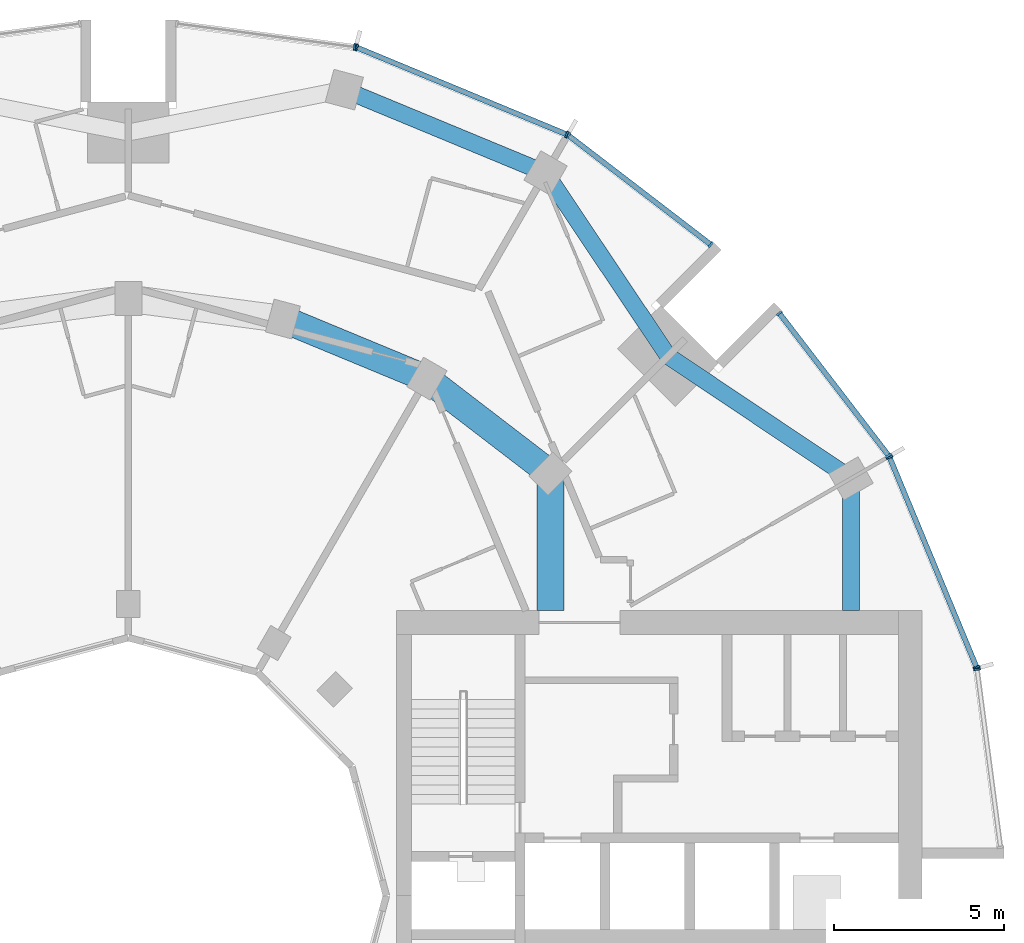
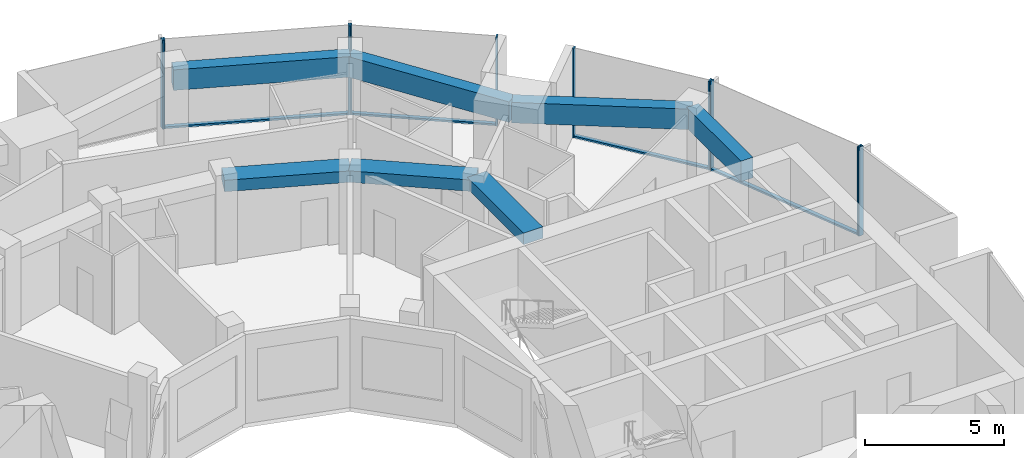
# One storey, part 6 of 15: 14 members, 7 beams, 6 elements without a shape of their own.
"""IFC4 building model written with IfcOpenShell, lengths in metres."""

import ifcopenshell
import ifcopenshell.guid

model = None  # the IFC model being written
_history = None  # IfcOwnerHistory: only IFC2X3 demands one
_inside = {}  # id of a spatial element -> (the spatial element, [elements in it])
_under = {}  # id of a project, library or spatial element -> (it, [spatial elements below it])
_declared = {}  # id of a project -> (the project, [libraries it declares])
_typed = {}  # id of a type object -> (the type object, [elements of that type])
_made_of = {}  # id of a material, layer set ... -> (it, [elements and type objects made of it])


def new_model(schema):
    """Start an empty IFC model of exactly this schema.

    Asked for "IFC4X3", IfcOpenShell would pick the latest addendum, in which some entities
    have other attributes; the version numbers below select the first issue.
    IFC2X3 requires an IfcOwnerHistory on every rooted entity: one is made here for all.
    """
    global model, _history
    if schema == "IFC4X3":
        model = ifcopenshell.file(schema_version=(4, 3, 0, 0))
    else:
        model = ifcopenshell.file(schema=schema)
    _inside.clear()
    _under.clear()
    _declared.clear()
    _typed.clear()
    _made_of.clear()
    _history = None
    if model.schema == "IFC2X3":
        org = make("IfcOrganization", Name="unknown")
        user = make(
            "IfcPersonAndOrganization",
            ThePerson=make("IfcPerson", FamilyName="unknown"),
            TheOrganization=org,
        )
        app = make(
            "IfcApplication",
            ApplicationDeveloper=org,
            Version="unknown",
            ApplicationFullName="unknown",
            ApplicationIdentifier="unknown",
        )
        _history = make(
            "IfcOwnerHistory",
            OwningUser=user,
            OwningApplication=app,
            ChangeAction="ADDED",
            CreationDate=0,
        )
    return model


def make(cls, **values):
    """One entity of the class cls with the attributes given. An attribute that is None is left unset."""
    return model.create_entity(
        cls, **{name: value for name, value in values.items() if value is not None}
    )


def rooted(cls, **values):
    """An entity with a GlobalId (a new one), such as an element, a storey or a relation."""
    return make(cls, GlobalId=ifcopenshell.guid.new(), OwnerHistory=_history, **values)


def si_unit(unit_type, name, prefix=None):
    """IfcSIUnit, for example si_unit("LENGTHUNIT", "METRE", prefix="MILLI")."""
    return make("IfcSIUnit", UnitType=unit_type, Prefix=prefix, Name=name)


def assignment(units):
    """IfcUnitAssignment: the units of a project."""
    return None if units is None else make("IfcUnitAssignment", Units=units)


def point(xyz):
    """IfcCartesianPoint."""
    return None if xyz is None else make("IfcCartesianPoint", Coordinates=xyz)


def direction(xyz):
    """IfcDirection."""
    return None if xyz is None else make("IfcDirection", DirectionRatios=xyz)


def frame(location, z_axis=None, x_axis=None):
    """IfcAxis2Placement3D, a coordinate frame: its origin and axes. An axis left out is left unset."""
    return make(
        "IfcAxis2Placement3D",
        Location=point(location),
        Axis=direction(z_axis),
        RefDirection=direction(x_axis),
    )


def frame_2d(location, x_axis=None):
    """IfcAxis2Placement2D, a coordinate frame in the plane: its origin and x axis."""
    return make(
        "IfcAxis2Placement2D", Location=point(location), RefDirection=direction(x_axis)
    )


def origin():
    """The frame at (0, 0, 0) with its axes left unset."""
    return frame((0.0, 0.0, 0.0))


def origin_2d():
    """The frame at (0, 0) in the plane with its x axis left unset."""
    return frame_2d((0.0, 0.0))


def place(relative_to, where):
    """IfcLocalPlacement: puts the frame where relative to a parent placement (None: the world)."""
    return make(
        "IfcLocalPlacement", PlacementRelTo=relative_to, RelativePlacement=where
    )


def context(
    kind, dimensions, precision=None, world=None, true_north=None, identifier=None
):
    """IfcGeometricRepresentationContext, for example the 3D "Model" context."""
    return make(
        "IfcGeometricRepresentationContext",
        ContextIdentifier=identifier,
        ContextType=kind,
        CoordinateSpaceDimension=dimensions,
        Precision=precision,
        WorldCoordinateSystem=world,
        TrueNorth=true_north,
    )


def subcontext(parent, identifier, kind, view, scale=None):
    """IfcGeometricRepresentationSubContext, for example "Body" below "Model"."""
    return make(
        "IfcGeometricRepresentationSubContext",
        ContextIdentifier=identifier,
        ContextType=kind,
        ParentContext=parent,
        TargetScale=scale,
        TargetView=view,
    )


def project(units=None, contexts=None):
    """IfcProject with its units and contexts."""
    return rooted(
        "IfcProject",
        Name="project",
        RepresentationContexts=contexts,
        UnitsInContext=assignment(units),
    )


def spatial(cls, under=None, at=None, **own):
    """A site, building, storey or space (cls), placed at a placement, below another one or the project."""
    s = rooted(cls, ObjectPlacement=at, **own)
    if under is not None:
        _under.setdefault(under.id(), (under, []))[1].append(s)
    return s


def profile(cls, at=None, kind="AREA", **sizes):
    """A parametric profile (cls). Its sizes go by their IFC names, for example OverallWidth=200.0."""
    return make(cls, ProfileType=kind, Position=at, **sizes)


def rectangle(**sizes):
    """IfcRectangleProfileDef."""
    return profile("IfcRectangleProfileDef", **sizes)


def extrude(swept, where, along, depth):
    """IfcExtrudedAreaSolid: the profile swept, set in the frame where, extruded along a direction by depth."""
    return make(
        "IfcExtrudedAreaSolid",
        SweptArea=swept,
        Position=where,
        ExtrudedDirection=direction(along),
        Depth=depth,
    )


def shape(context_of_items, identifier, shape_type, items):
    """IfcShapeRepresentation: the items that make up one representation, for example the "Body"."""
    return make(
        "IfcShapeRepresentation",
        ContextOfItems=context_of_items,
        RepresentationIdentifier=identifier,
        RepresentationType=shape_type,
        Items=items,
    )


def material(Name=None, Category=None):
    """IfcMaterial."""
    return make("IfcMaterial", Name=Name, Category=Category)


def layer(
    of_material, thickness, ventilated=None, Name=None, Category=None, Priority=None
):
    """IfcMaterialLayer: one layer of a wall or slab, of a material (None: an air gap)."""
    return make(
        "IfcMaterialLayer",
        Material=of_material,
        LayerThickness=thickness,
        IsVentilated=ventilated,
        Name=Name,
        Category=Category,
        Priority=Priority,
    )


def layer_set(layers, Name=None):
    """IfcMaterialLayerSet."""
    return make("IfcMaterialLayerSet", MaterialLayers=layers, LayerSetName=Name)


def material_profile(
    of_material, cross_section, Name=None, Category=None, Priority=None
):
    """IfcMaterialProfile: a cross section and its material."""
    return make(
        "IfcMaterialProfile",
        Name=Name,
        Material=of_material,
        Profile=cross_section,
        Priority=Priority,
        Category=Category,
    )


def profile_set(profiles, Name=None, composite=None):
    """IfcMaterialProfileSet."""
    return make(
        "IfcMaterialProfileSet",
        Name=Name,
        MaterialProfiles=profiles,
        CompositeProfile=composite,
    )


def made_of(thing, what):
    """Note that an element or type object is made of a material, layer set ...; save() writes the relation."""
    if what is not None:
        _made_of.setdefault(what.id(), (what, []))[1].append(thing)
    return thing


def type_object(cls, material=None, **own):
    """A type object (cls), such as IfcWallType, which elements share."""
    return made_of(rooted(cls, **own), material)


def element(
    cls,
    number,
    at=None,
    inside=None,
    cuts=None,
    type_object=None,
    material=None,
    context=None,
    identifier="Body",
    shape_type=None,
    held_by="IfcProductDefinitionShape",
    body=None,
    shapes=None,
    **own,
):
    """One element of the class cls, such as IfcWall. Its Tag is "e" and its number.

    at: its placement. inside: the storey or other place that contains it. cuts: it is an
    opening in that element (IfcRelVoidsElement). A single representation is given by context,
    identifier, shape_type and body (its items); several are given by shapes. held_by: the class
    of the entity that holds the representations. save() writes the other relations.
    """
    e = rooted(cls, Tag="e%d" % number, ObjectPlacement=at, **own)
    if body is not None:
        shapes = [shape(context, identifier, shape_type, body)]
    if shapes is not None:
        e.Representation = make(held_by, Representations=shapes)
    if inside is not None:
        _inside.setdefault(inside.id(), (inside, []))[1].append(e)
    if cuts is not None:
        rooted(
            "IfcRelVoidsElement", RelatingBuildingElement=cuts, RelatedOpeningElement=e
        )
    if type_object is not None:
        _typed.setdefault(type_object.id(), (type_object, []))[1].append(e)
    return made_of(e, material)


def aggregate(whole, parts):
    """IfcRelAggregates: a whole, such as a stair, and the parts it consists of."""
    return rooted("IfcRelAggregates", RelatingObject=whole, RelatedObjects=parts)


def save(model, path):
    """Write the relations noted so far, then the file.

    IfcRelAggregates (storeys below a building ...), IfcRelContainedInSpatialStructure (elements
    in a storey), IfcRelDefinesByType, IfcRelAssociatesMaterial and IfcRelDeclares: one each for
    every whole, place, type object, material and project.
    """
    for whole, parts in _under.values():
        aggregate(whole, parts)
    for where, things in _inside.values():
        rooted(
            "IfcRelContainedInSpatialStructure",
            RelatedElements=things,
            RelatingStructure=where,
        )
    for kind, things in _typed.values():
        rooted("IfcRelDefinesByType", RelatedObjects=things, RelatingType=kind)
    for what, things in _made_of.values():
        rooted("IfcRelAssociatesMaterial", RelatedObjects=things, RelatingMaterial=what)
    for by, libraries in _declared.values():
        rooted("IfcRelDeclares", RelatingContext=by, RelatedDefinitions=libraries)
    model.write(path)


model = new_model("IFC4")

# Units and contexts
model_context = context("Model", 3, precision=1e-05, world=origin(), true_north=direction((0.0, 1.0)))
body_context = subcontext(model_context, "Body", "Model", "MODEL_VIEW")
ifc_project = project(units=[si_unit("LENGTHUNIT", "METRE"), si_unit("AREAUNIT", "SQUARE_METRE"), si_unit("VOLUMEUNIT", "CUBIC_METRE"), si_unit("PLANEANGLEUNIT", "RADIAN"), si_unit("MASSUNIT", "GRAM", prefix="KILO")], contexts=[model_context])

# Site, building, storey
site_placement = place(None, origin())
site = spatial("IfcSite", under=ifc_project, at=site_placement, CompositionType="ELEMENT")
building_placement = place(site_placement, origin())
building = spatial("IfcBuilding", under=site, at=building_placement, Name="Torre Brocal", CompositionType="ELEMENT")
storey_placement = place(building_placement, frame((0.0, 0.0, 130.199951171875)))
storey = spatial("IfcBuildingStorey", under=building, at=storey_placement, Name="L30", CompositionType="ELEMENT", Elevation=130.199951171875)

# Curtain wall, members
ifc_material_1 = material(Name="Aluminium and glass", Category="aluminium")
ifc_layer_1 = layer(ifc_material_1, 0.199951171875)
ifc_layer_set_1 = layer_set([ifc_layer_1], Name="Aluminium and glass")
curtain_wall_type_1 = type_object("IfcCurtainWallType", Name="CW-1 CURTAIN WALL 3900 HIGH", PredefinedType="NOTDEFINED", material=ifc_layer_set_1)
curtain_wall_1_placement = place(storey_placement, origin())
curtain_wall_1 = element("IfcCurtainWall", 1, at=curtain_wall_1_placement, inside=storey, type_object=curtain_wall_type_1, Name="CW-1 RUN 2", PredefinedType="NOTDEFINED")
ifc_material_2 = material(Name="Aluminium, dark anodised", Category="aluminium")
ifc_material_profile_1 = material_profile(ifc_material_2, rectangle(XDim=0.199951171875, YDim=0.06005859375, at=origin_2d()), Name="CW-1 MULLION 60X200")
ifc_profile_set_1 = profile_set([ifc_material_profile_1], Name="Aluminium, dark anodised")
member_type_1 = type_object("IfcMemberType", Name="CW-1 MULLION 60X200", PredefinedType="MULLION", material=ifc_profile_set_1)
member_1_placement = place(storey_placement, frame((105.005126953125, 81.73095703125, 0.0), z_axis=(0.0, 0.0, 1.0), x_axis=(-0.923879532525, -0.382683432333, 0.0)))
member_1 = element("IfcMember", 2, at=member_1_placement, type_object=member_type_1, Name="CW1-3 mullion 1", PredefinedType="MULLION", context=body_context, shape_type="SweptSolid", body=[
    extrude(rectangle(XDim=0.199951171875, YDim=0.06005859375, at=origin_2d()), origin(), (0.0, 0.0, 1.0), 3.900146484375),
])
member_2_placement = place(storey_placement, frame((102.440673828125, 87.921875, 0.0), z_axis=(0.0, 0.0, 1.0), x_axis=(-0.923879532525, -0.382683432333, 0.0)))
member_2 = element("IfcMember", 3, at=member_2_placement, type_object=member_type_1, Name="CW1-3 mullion 2", PredefinedType="MULLION", context=body_context, shape_type="SweptSolid", body=[
    extrude(rectangle(XDim=0.199951171875, YDim=0.06005859375, at=origin_2d()), origin(), (0.0, 0.0, 1.0), 3.900146484375),
])

curtain_wall_2_placement = place(storey_placement, origin())
curtain_wall_2 = element("IfcCurtainWall", 4, at=curtain_wall_2_placement, inside=storey, type_object=curtain_wall_type_1, Name="CW-1 RUN 3", PredefinedType="NOTDEFINED")
member_3_placement = place(storey_placement, frame((102.4111328125, 87.973388671875, 0.0), z_axis=(0.0, 0.0, 1.0), x_axis=(-0.793353340259, -0.60876142905, 0.0)))
member_3 = element("IfcMember", 5, at=member_3_placement, type_object=member_type_1, Name="CW1-3 mullion 1", PredefinedType="MULLION", context=body_context, shape_type="SweptSolid", body=[
    extrude(rectangle(XDim=0.199951171875, YDim=0.06005859375, at=origin_2d()), origin(), (0.0, 0.0, 1.0), 3.900146484375),
])
member_4_placement = place(storey_placement, frame((99.19140625, 92.16943359375, 0.0), z_axis=(0.0, 0.0, 1.0), x_axis=(-0.793353340259, -0.60876142905, 0.0)))
member_4 = element("IfcMember", 6, at=member_4_placement, type_object=member_type_1, Name="CW1-3 mullion 2", PredefinedType="MULLION", context=body_context, shape_type="SweptSolid", body=[
    extrude(rectangle(XDim=0.199951171875, YDim=0.06005859375, at=origin_2d()), origin(), (0.0, 0.0, 1.0), 3.900146484375),
])

curtain_wall_3_placement = place(storey_placement, origin())
curtain_wall_3 = element("IfcCurtainWall", 7, at=curtain_wall_3_placement, inside=storey, type_object=curtain_wall_type_1, Name="CW-1 RUN 4", PredefinedType="NOTDEFINED")
member_5_placement = place(storey_placement, frame((97.16943359375, 94.19140625, 0.0), z_axis=(0.0, 0.0, 1.0), x_axis=(-0.60876142905, -0.793353340259, 0.0)))
member_5 = element("IfcMember", 8, at=member_5_placement, type_object=member_type_1, Name="CW1-3 mullion 1", PredefinedType="MULLION", context=body_context, shape_type="SweptSolid", body=[
    extrude(rectangle(XDim=0.199951171875, YDim=0.06005859375, at=origin_2d()), origin(), (0.0, 0.0, 1.0), 3.900146484375),
])
member_6_placement = place(storey_placement, frame((92.973388671875, 97.4111328125, 0.0), z_axis=(0.0, 0.0, 1.0), x_axis=(-0.60876142905, -0.793353340259, 0.0)))
member_6 = element("IfcMember", 9, at=member_6_placement, type_object=member_type_1, Name="CW1-3 mullion 2", PredefinedType="MULLION", context=body_context, shape_type="SweptSolid", body=[
    extrude(rectangle(XDim=0.199951171875, YDim=0.06005859375, at=origin_2d()), origin(), (0.0, 0.0, 1.0), 3.900146484375),
])

curtain_wall_4_placement = place(storey_placement, origin())
curtain_wall_4 = element("IfcCurtainWall", 10, at=curtain_wall_4_placement, inside=storey, type_object=curtain_wall_type_1, Name="CW-1 RUN 5", PredefinedType="NOTDEFINED")
member_7_placement = place(storey_placement, frame((92.921875, 97.440673828125, 0.0), z_axis=(0.0, 0.0, 1.0), x_axis=(-0.382683432333, -0.923879532525, 0.0)))
member_7 = element("IfcMember", 11, at=member_7_placement, type_object=member_type_1, Name="CW1-3 mullion 1", PredefinedType="MULLION", context=body_context, shape_type="SweptSolid", body=[
    extrude(rectangle(XDim=0.199951171875, YDim=0.06005859375, at=origin_2d()), origin(), (0.0, 0.0, 1.0), 3.900146484375),
])
member_8_placement = place(storey_placement, frame((86.73095703125, 100.005126953125, 0.0), z_axis=(0.0, 0.0, 1.0), x_axis=(-0.382683432333, -0.923879532525, 0.0)))
member_8 = element("IfcMember", 12, at=member_8_placement, type_object=member_type_1, Name="CW1-3 mullion 2", PredefinedType="MULLION", context=body_context, shape_type="SweptSolid", body=[
    extrude(rectangle(XDim=0.199951171875, YDim=0.06005859375, at=origin_2d()), origin(), (0.0, 0.0, 1.0), 3.900146484375),
])

# Curtain wall, member
curtain_wall_5_placement = place(storey_placement, origin())
curtain_wall_5 = element("IfcCurtainWall", 13, at=curtain_wall_5_placement, inside=storey, type_object=curtain_wall_type_1, Name="CW-1 RUN 6", PredefinedType="NOTDEFINED")
member_9_placement = place(storey_placement, frame((86.67333984375, 100.0205078125, 0.0), z_axis=(0.0, 0.0, 1.0), x_axis=(-0.13052619222, -0.991444861374, 0.0)))
member_9 = element("IfcMember", 14, at=member_9_placement, type_object=member_type_1, Name="CW1-3 mullion 1", PredefinedType="MULLION", context=body_context, shape_type="SweptSolid", body=[
    extrude(rectangle(XDim=0.199951171875, YDim=0.06005859375, at=origin_2d()), origin(), (0.0, 0.0, 1.0), 3.900146484375),
])
aggregate(curtain_wall_5, [member_9])

# Member
ifc_material_3 = material(Name="Aluminium, dark anodised", Category="aluminium")
ifc_material_profile_2 = material_profile(ifc_material_3, rectangle(XDim=0.159912109375, YDim=0.080078125, at=origin_2d()), Name="CW-1 TRANSOM 160X80")
ifc_profile_set_2 = profile_set([ifc_material_profile_2], Name="Aluminium, dark anodised")
member_type_2 = type_object("IfcMemberType", Name="CW-1 TRANSOM 160X80", PredefinedType="USERDEFINED", material=ifc_profile_set_2)
member_10_placement = place(storey_placement, frame((104.99365234375, 81.758544921875, 0.0400390625), z_axis=(-0.38266457234, 0.923887344364, 0.0), x_axis=(-0.923887344364, -0.38266457234, 0.0)))
member_10 = element("IfcMember", 15, at=member_10_placement, type_object=member_type_2, Name="CW1-3 transom 1.1", ObjectType="TRANSOM", PredefinedType="USERDEFINED", context=body_context, shape_type="SweptSolid", body=[
    extrude(rectangle(XDim=0.159912109375, YDim=0.080078125, at=origin_2d()), origin(), (0.0, 0.0, 1.0), 6.640869140625),
])

aggregate(curtain_wall_1, [member_1, member_2, member_10])

member_11_placement = place(storey_placement, frame((102.392822265625, 87.9970703125, 0.0400390625), z_axis=(-0.60874908096, 0.79336281513, 0.0), x_axis=(-0.79336281513, -0.60874908096, 0.0)))
member_11 = element("IfcMember", 16, at=member_11_placement, type_object=member_type_2, Name="CW1-3 transom 1.1", ObjectType="TRANSOM", PredefinedType="USERDEFINED", context=body_context, shape_type="SweptSolid", body=[
    extrude(rectangle(XDim=0.159912109375, YDim=0.080078125, at=origin_2d()), origin(), (0.0, 0.0, 1.0), 5.22900390625),
])

aggregate(curtain_wall_2, [member_3, member_4, member_11])

member_12_placement = place(storey_placement, frame((97.1455078125, 94.209716796875, 0.0400390625), z_axis=(-0.79336281513, 0.60874908096, 0.0), x_axis=(-0.60874908096, -0.79336281513, 0.0)))
member_12 = element("IfcMember", 17, at=member_12_placement, type_object=member_type_2, Name="CW1-3 transom 1.1", ObjectType="TRANSOM", PredefinedType="USERDEFINED", context=body_context, shape_type="SweptSolid", body=[
    extrude(rectangle(XDim=0.159912109375, YDim=0.080078125, at=origin_2d()), origin(), (0.0, 0.0, 1.0), 5.22900390625),
])

aggregate(curtain_wall_3, [member_5, member_6, member_12])

member_13_placement = place(storey_placement, frame((92.89404296875, 97.452392578125, 0.0400390625), z_axis=(-0.923887344364, 0.38266457234, 0.0), x_axis=(-0.38266457234, -0.923887344364, 0.0)))
member_13 = element("IfcMember", 18, at=member_13_placement, type_object=member_type_2, Name="CW1-3 transom 1.1", ObjectType="TRANSOM", PredefinedType="USERDEFINED", context=body_context, shape_type="SweptSolid", body=[
    extrude(rectangle(XDim=0.159912109375, YDim=0.080078125, at=origin_2d()), origin(), (0.0, 0.0, 1.0), 6.640869140625),
])

aggregate(curtain_wall_4, [member_7, member_8, member_13])

# Curtain wall, member
ifc_material_4 = material(Name="Aluminium and glass", Category="aluminium")
ifc_layer_2 = layer(ifc_material_4, 0.199951171875)
ifc_layer_set_2 = layer_set([ifc_layer_2], Name="Aluminium and glass")
curtain_wall_type_2 = type_object("IfcCurtainWallType", Name="CW-1B CURTAIN WALL 3900 HIGH", PredefinedType="NOTDEFINED", material=ifc_layer_set_2)
curtain_wall_6_placement = place(storey_placement, origin())
curtain_wall_6 = element("IfcCurtainWall", 19, at=curtain_wall_6_placement, inside=storey, type_object=curtain_wall_type_2, Name="CW-1B RUN 1", PredefinedType="NOTDEFINED")
ifc_material_5 = material(Name="Aluminium, dark anodised", Category="aluminium")
ifc_material_profile_3 = material_profile(ifc_material_5, rectangle(XDim=0.199951171875, YDim=0.06005859375, at=origin_2d()), Name="CW-1B MULLION 60X200")
ifc_profile_set_3 = profile_set([ifc_material_profile_3], Name="Aluminium, dark anodised")
member_type_3 = type_object("IfcMemberType", Name="CW-1B MULLION 60X200", PredefinedType="MULLION", material=ifc_profile_set_3)
member_14_placement = place(storey_placement, frame((105.0205078125, 81.67333984375, 0.0), z_axis=(0.0, 0.0, 1.0), x_axis=(-0.991444861374, -0.13052619222, 0.0)))
member_14 = element("IfcMember", 20, at=member_14_placement, type_object=member_type_3, Name="CW1B-3 mullion 2", PredefinedType="MULLION", context=body_context, shape_type="SweptSolid", body=[
    extrude(rectangle(XDim=0.199951171875, YDim=0.06005859375, at=origin_2d()), origin(), (0.0, 0.0, 1.0), 3.900146484375),
])
aggregate(curtain_wall_6, [member_14])

# Beams
ifc_material_6 = material(Name="Concrete C50", Category="concrete")
ifc_material_profile_4 = material_profile(ifc_material_6, rectangle(XDim=0.800048828125, YDim=0.5, at=origin_2d()), Name="RC 800X500")
ifc_profile_set_4 = profile_set([ifc_material_profile_4], Name="Concrete C50")
beam_type_1 = type_object("IfcBeamType", Name="RC BEAM 800X500 C50 TOP 3580", PredefinedType="BEAM", material=ifc_profile_set_4)
beam_1_placement = place(storey_placement, frame((92.445068359375, 87.445068359375, 3.330078125), z_axis=(-0.793358265959, 0.6087550097, 0.0), x_axis=(-0.6087550097, -0.793358265959, 0.0)))
element("IfcBeam", 21, at=beam_1_placement, inside=storey, type_object=beam_type_1, Name="Beam BT-28", PredefinedType="BEAM", context=body_context, shape_type="SweptSolid", body=[
    extrude(rectangle(XDim=0.800048828125, YDim=0.5, at=origin_2d()), origin(), (0.0, 0.0, 1.0), 4.594482421875),
])
beam_2_placement = place(storey_placement, frame((88.800048828125, 90.241943359375, 3.330078125), z_axis=(-0.923878240166, 0.382686552348, 0.0), x_axis=(-0.382686552348, -0.923878240166, 0.0)))
element("IfcBeam", 22, at=beam_2_placement, inside=storey, type_object=beam_type_1, Name="Beam BT-28", PredefinedType="BEAM", context=body_context, shape_type="SweptSolid", body=[
    extrude(rectangle(XDim=0.800048828125, YDim=0.5, at=origin_2d()), origin(), (0.0, 0.0, 1.0), 4.5947265625),
])
beam_3_placement = place(storey_placement, frame((92.445068359375, 87.445068359375, 3.330078125), z_axis=(0.0, -1.0, 0.0), x_axis=(1.0, 0.0, 0.0)))
element("IfcBeam", 23, at=beam_3_placement, inside=storey, type_object=beam_type_1, Name="Beam BT-28", PredefinedType="BEAM", context=body_context, shape_type="SweptSolid", body=[
    extrude(rectangle(XDim=0.800048828125, YDim=0.5, at=origin_2d()), origin(), (0.0, 0.0, 1.0), 4.045166015625),
])
ifc_material_7 = material(Name="Concrete C50", Category="concrete")
ifc_material_profile_5 = material_profile(ifc_material_7, rectangle(XDim=0.5, YDim=0.89990234375, at=origin_2d()), Name="RC 500X900")
ifc_profile_set_5 = profile_set([ifc_material_profile_5], Name="Concrete C50")
beam_type_2 = type_object("IfcBeamType", Name="RC SPANDREL BEAM 500X900 C50 TOP 3580", PredefinedType="SPANDREL", material=ifc_profile_set_5)
for number, where, z_axis, x_axis, name in (
    (24, (101.30419921875, 87.300048828125, 3.130126953125), (-0.831076844476, 0.556157602282, 0.0), (-0.556157602282, -0.831076844476, 0.0), "Beam BT-29"),
    (25, (95.909912109375, 90.909912109375, 3.130126953125), (-0.556157602282, 0.831076844476, 0.0), (-0.831076844476, -0.556157602282, 0.0), "Beam BT-29"),
):
    element("IfcBeam", number, at=place(storey_placement, frame(where, z_axis=z_axis, x_axis=x_axis)), inside=storey, type_object=beam_type_2, Name=name, PredefinedType="SPANDREL", context=body_context, shape_type="SweptSolid", body=[
        extrude(rectangle(XDim=0.5, YDim=0.89990234375, at=origin_2d()), origin(), (0.0, 0.0, 1.0), 6.49072265625),
    ])
beam_4_placement = place(storey_placement, frame((92.300048828125, 96.30419921875, 3.130126953125), z_axis=(-0.923882462513, 0.382676358639, 0.0), x_axis=(-0.382676358639, -0.923882462513, 0.0)))
element("IfcBeam", 26, at=beam_4_placement, inside=storey, type_object=beam_type_2, Name="Beam BT-29", PredefinedType="SPANDREL", context=body_context, shape_type="SweptSolid", body=[
    extrude(rectangle(XDim=0.5, YDim=0.89990234375, at=origin_2d()), origin(), (0.0, 0.0, 1.0), 6.421875),
])
beam_5_placement = place(storey_placement, frame((101.30419921875, 87.300048828125, 3.130126953125), z_axis=(0.0, -1.0, 0.0), x_axis=(1.0, 0.0, 0.0)))
element("IfcBeam", 27, at=beam_5_placement, inside=storey, type_object=beam_type_2, Name="Beam BT-29", PredefinedType="SPANDREL", context=body_context, shape_type="SweptSolid", body=[
    extrude(rectangle(XDim=0.5, YDim=0.89990234375, at=origin_2d()), origin(), (0.0, 0.0, 1.0), 3.900146484375),
])

save(model, "model.ifc")
